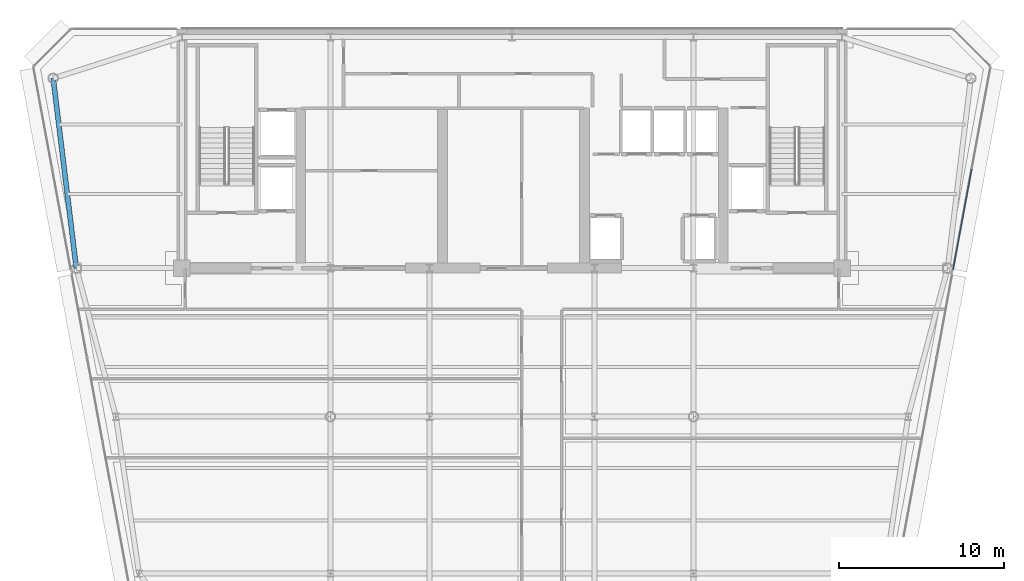
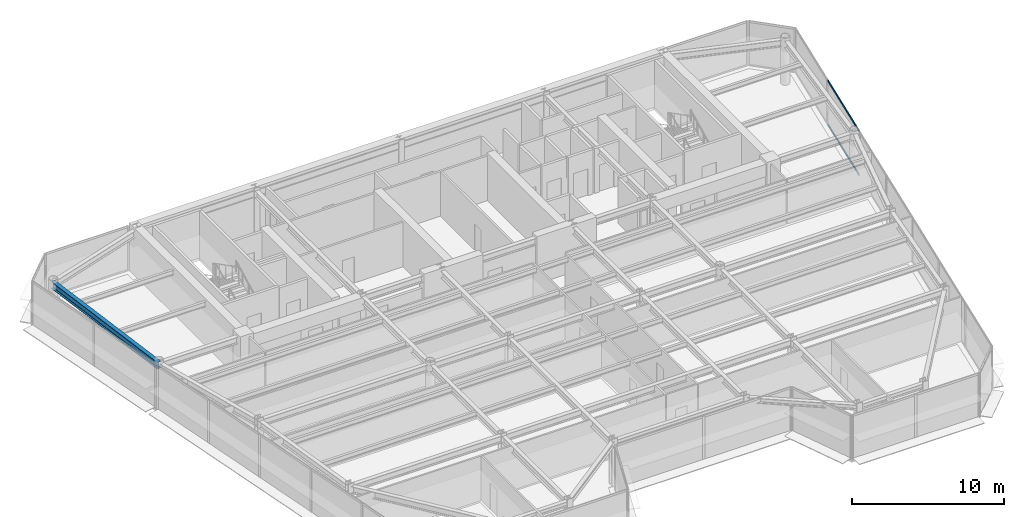
# One storey, part 7 of 17: 2 members, 1 beam, 1 element without a shape of its own.
"""IFC4 building model written with IfcOpenShell, lengths in metres."""

import ifcopenshell
import ifcopenshell.guid

model = None  # the IFC model being written
_history = None  # IfcOwnerHistory: only IFC2X3 demands one
_inside = {}  # id of a spatial element -> (the spatial element, [elements in it])
_under = {}  # id of a project, library or spatial element -> (it, [spatial elements below it])
_declared = {}  # id of a project -> (the project, [libraries it declares])
_typed = {}  # id of a type object -> (the type object, [elements of that type])
_made_of = {}  # id of a material, layer set ... -> (it, [elements and type objects made of it])


def new_model(schema):
    """Start an empty IFC model of exactly this schema.

    Asked for "IFC4X3", IfcOpenShell would pick the latest addendum, in which some entities
    have other attributes; the version numbers below select the first issue.
    IFC2X3 requires an IfcOwnerHistory on every rooted entity: one is made here for all.
    """
    global model, _history
    if schema == "IFC4X3":
        model = ifcopenshell.file(schema_version=(4, 3, 0, 0))
    else:
        model = ifcopenshell.file(schema=schema)
    _inside.clear()
    _under.clear()
    _declared.clear()
    _typed.clear()
    _made_of.clear()
    _history = None
    if model.schema == "IFC2X3":
        org = make("IfcOrganization", Name="unknown")
        user = make(
            "IfcPersonAndOrganization",
            ThePerson=make("IfcPerson", FamilyName="unknown"),
            TheOrganization=org,
        )
        app = make(
            "IfcApplication",
            ApplicationDeveloper=org,
            Version="unknown",
            ApplicationFullName="unknown",
            ApplicationIdentifier="unknown",
        )
        _history = make(
            "IfcOwnerHistory",
            OwningUser=user,
            OwningApplication=app,
            ChangeAction="ADDED",
            CreationDate=0,
        )
    return model


def make(cls, **values):
    """One entity of the class cls with the attributes given. An attribute that is None is left unset."""
    return model.create_entity(
        cls, **{name: value for name, value in values.items() if value is not None}
    )


def rooted(cls, **values):
    """An entity with a GlobalId (a new one), such as an element, a storey or a relation."""
    return make(cls, GlobalId=ifcopenshell.guid.new(), OwnerHistory=_history, **values)


def si_unit(unit_type, name, prefix=None):
    """IfcSIUnit, for example si_unit("LENGTHUNIT", "METRE", prefix="MILLI")."""
    return make("IfcSIUnit", UnitType=unit_type, Prefix=prefix, Name=name)


def assignment(units):
    """IfcUnitAssignment: the units of a project."""
    return None if units is None else make("IfcUnitAssignment", Units=units)


def point(xyz):
    """IfcCartesianPoint."""
    return None if xyz is None else make("IfcCartesianPoint", Coordinates=xyz)


def direction(xyz):
    """IfcDirection."""
    return None if xyz is None else make("IfcDirection", DirectionRatios=xyz)


def frame(location, z_axis=None, x_axis=None):
    """IfcAxis2Placement3D, a coordinate frame: its origin and axes. An axis left out is left unset."""
    return make(
        "IfcAxis2Placement3D",
        Location=point(location),
        Axis=direction(z_axis),
        RefDirection=direction(x_axis),
    )


def frame_2d(location, x_axis=None):
    """IfcAxis2Placement2D, a coordinate frame in the plane: its origin and x axis."""
    return make(
        "IfcAxis2Placement2D", Location=point(location), RefDirection=direction(x_axis)
    )


def origin():
    """The frame at (0, 0, 0) with its axes left unset."""
    return frame((0.0, 0.0, 0.0))


def origin_2d():
    """The frame at (0, 0) in the plane with its x axis left unset."""
    return frame_2d((0.0, 0.0))


def place(relative_to, where):
    """IfcLocalPlacement: puts the frame where relative to a parent placement (None: the world)."""
    return make(
        "IfcLocalPlacement", PlacementRelTo=relative_to, RelativePlacement=where
    )


def context(
    kind, dimensions, precision=None, world=None, true_north=None, identifier=None
):
    """IfcGeometricRepresentationContext, for example the 3D "Model" context."""
    return make(
        "IfcGeometricRepresentationContext",
        ContextIdentifier=identifier,
        ContextType=kind,
        CoordinateSpaceDimension=dimensions,
        Precision=precision,
        WorldCoordinateSystem=world,
        TrueNorth=true_north,
    )


def subcontext(parent, identifier, kind, view, scale=None):
    """IfcGeometricRepresentationSubContext, for example "Body" below "Model"."""
    return make(
        "IfcGeometricRepresentationSubContext",
        ContextIdentifier=identifier,
        ContextType=kind,
        ParentContext=parent,
        TargetScale=scale,
        TargetView=view,
    )


def project(units=None, contexts=None):
    """IfcProject with its units and contexts."""
    return rooted(
        "IfcProject",
        Name="project",
        RepresentationContexts=contexts,
        UnitsInContext=assignment(units),
    )


def spatial(cls, under=None, at=None, **own):
    """A site, building, storey or space (cls), placed at a placement, below another one or the project."""
    s = rooted(cls, ObjectPlacement=at, **own)
    if under is not None:
        _under.setdefault(under.id(), (under, []))[1].append(s)
    return s


def profile(cls, at=None, kind="AREA", **sizes):
    """A parametric profile (cls). Its sizes go by their IFC names, for example OverallWidth=200.0."""
    return make(cls, ProfileType=kind, Position=at, **sizes)


def rectangle(**sizes):
    """IfcRectangleProfileDef."""
    return profile("IfcRectangleProfileDef", **sizes)


def i_section(**sizes):
    """IfcIShapeProfileDef."""
    return profile("IfcIShapeProfileDef", **sizes)


def extrude(swept, where, along, depth):
    """IfcExtrudedAreaSolid: the profile swept, set in the frame where, extruded along a direction by depth."""
    return make(
        "IfcExtrudedAreaSolid",
        SweptArea=swept,
        Position=where,
        ExtrudedDirection=direction(along),
        Depth=depth,
    )


def shape(context_of_items, identifier, shape_type, items):
    """IfcShapeRepresentation: the items that make up one representation, for example the "Body"."""
    return make(
        "IfcShapeRepresentation",
        ContextOfItems=context_of_items,
        RepresentationIdentifier=identifier,
        RepresentationType=shape_type,
        Items=items,
    )


def source(mapping_origin, context_of_items, identifier, shape_type, items):
    """IfcRepresentationMap: a shape defined once, which mapped items show again and again."""
    return make(
        "IfcRepresentationMap",
        MappingOrigin=mapping_origin,
        MappedRepresentation=shape(context_of_items, identifier, shape_type, items),
    )


def transform(
    local_origin,
    x_axis=None,
    y_axis=None,
    z_axis=None,
    scale=None,
    scale2=None,
    scale3=None,
    uniform=True,
):
    """IfcCartesianTransformationOperator3D, or its non-uniform kind. x_axis, y_axis, z_axis: its Axis1, 2, 3."""
    if uniform:
        return make(
            "IfcCartesianTransformationOperator3D",
            Axis1=direction(x_axis),
            Axis2=direction(y_axis),
            LocalOrigin=point(local_origin),
            Scale=scale,
            Axis3=direction(z_axis),
        )
    return make(
        "IfcCartesianTransformationOperator3DnonUniform",
        Axis1=direction(x_axis),
        Axis2=direction(y_axis),
        LocalOrigin=point(local_origin),
        Scale=scale,
        Axis3=direction(z_axis),
        Scale2=scale2,
        Scale3=scale3,
    )


def mapped(mapping_source, mapping_target):
    """IfcMappedItem: shows the shape of a source again, moved by a transform."""
    return make(
        "IfcMappedItem", MappingSource=mapping_source, MappingTarget=mapping_target
    )


def material(Name=None, Category=None):
    """IfcMaterial."""
    return make("IfcMaterial", Name=Name, Category=Category)


def layer(
    of_material, thickness, ventilated=None, Name=None, Category=None, Priority=None
):
    """IfcMaterialLayer: one layer of a wall or slab, of a material (None: an air gap)."""
    return make(
        "IfcMaterialLayer",
        Material=of_material,
        LayerThickness=thickness,
        IsVentilated=ventilated,
        Name=Name,
        Category=Category,
        Priority=Priority,
    )


def layer_set(layers, Name=None):
    """IfcMaterialLayerSet."""
    return make("IfcMaterialLayerSet", MaterialLayers=layers, LayerSetName=Name)


def material_profile(
    of_material, cross_section, Name=None, Category=None, Priority=None
):
    """IfcMaterialProfile: a cross section and its material."""
    return make(
        "IfcMaterialProfile",
        Name=Name,
        Material=of_material,
        Profile=cross_section,
        Priority=Priority,
        Category=Category,
    )


def profile_set(profiles, Name=None, composite=None):
    """IfcMaterialProfileSet."""
    return make(
        "IfcMaterialProfileSet",
        Name=Name,
        MaterialProfiles=profiles,
        CompositeProfile=composite,
    )


def made_of(thing, what):
    """Note that an element or type object is made of a material, layer set ...; save() writes the relation."""
    if what is not None:
        _made_of.setdefault(what.id(), (what, []))[1].append(thing)
    return thing


def type_object(cls, material=None, **own):
    """A type object (cls), such as IfcWallType, which elements share."""
    return made_of(rooted(cls, **own), material)


def element(
    cls,
    number,
    at=None,
    inside=None,
    cuts=None,
    type_object=None,
    material=None,
    context=None,
    identifier="Body",
    shape_type=None,
    held_by="IfcProductDefinitionShape",
    body=None,
    shapes=None,
    **own,
):
    """One element of the class cls, such as IfcWall. Its Tag is "e" and its number.

    at: its placement. inside: the storey or other place that contains it. cuts: it is an
    opening in that element (IfcRelVoidsElement). A single representation is given by context,
    identifier, shape_type and body (its items); several are given by shapes. held_by: the class
    of the entity that holds the representations. save() writes the other relations.
    """
    e = rooted(cls, Tag="e%d" % number, ObjectPlacement=at, **own)
    if body is not None:
        shapes = [shape(context, identifier, shape_type, body)]
    if shapes is not None:
        e.Representation = make(held_by, Representations=shapes)
    if inside is not None:
        _inside.setdefault(inside.id(), (inside, []))[1].append(e)
    if cuts is not None:
        rooted(
            "IfcRelVoidsElement", RelatingBuildingElement=cuts, RelatedOpeningElement=e
        )
    if type_object is not None:
        _typed.setdefault(type_object.id(), (type_object, []))[1].append(e)
    return made_of(e, material)


def aggregate(whole, parts):
    """IfcRelAggregates: a whole, such as a stair, and the parts it consists of."""
    return rooted("IfcRelAggregates", RelatingObject=whole, RelatedObjects=parts)


def save(model, path):
    """Write the relations noted so far, then the file.

    IfcRelAggregates (storeys below a building ...), IfcRelContainedInSpatialStructure (elements
    in a storey), IfcRelDefinesByType, IfcRelAssociatesMaterial and IfcRelDeclares: one each for
    every whole, place, type object, material and project.
    """
    for whole, parts in _under.values():
        aggregate(whole, parts)
    for where, things in _inside.values():
        rooted(
            "IfcRelContainedInSpatialStructure",
            RelatedElements=things,
            RelatingStructure=where,
        )
    for kind, things in _typed.values():
        rooted("IfcRelDefinesByType", RelatedObjects=things, RelatingType=kind)
    for what, things in _made_of.values():
        rooted("IfcRelAssociatesMaterial", RelatedObjects=things, RelatingMaterial=what)
    for by, libraries in _declared.values():
        rooted("IfcRelDeclares", RelatingContext=by, RelatedDefinitions=libraries)
    model.write(path)


model = new_model("IFC4")

# Units and contexts
model_context = context("Model", 3, precision=1e-05, world=origin(), true_north=direction((0.0, 1.0)))
body_context = subcontext(model_context, "Body", "Model", "MODEL_VIEW")
ifc_project = project(units=[si_unit("LENGTHUNIT", "METRE"), si_unit("AREAUNIT", "SQUARE_METRE"), si_unit("VOLUMEUNIT", "CUBIC_METRE"), si_unit("PLANEANGLEUNIT", "RADIAN"), si_unit("MASSUNIT", "GRAM", prefix="KILO")], contexts=[model_context])

# Site, building, storey
site_placement = place(None, origin())
site = spatial("IfcSite", under=ifc_project, at=site_placement, CompositionType="ELEMENT")
building_placement = place(site_placement, origin())
building = spatial("IfcBuilding", under=site, at=building_placement, Name="Vaeldorn Concourse Tower", CompositionType="ELEMENT")
storey_placement = place(building_placement, frame((0.0, 0.0, 230.800048828125)))
storey = spatial("IfcBuildingStorey", under=building, at=storey_placement, Name="L59", CompositionType="ELEMENT", Elevation=230.800048828125)

# Beam
ifc_material_1 = material(Name="Steel S355", Category="steel")
ifc_material_profile_1 = material_profile(ifc_material_1, i_section(OverallWidth=0.300048828125, OverallDepth=0.550048828125, WebThickness=0.014892578125, FlangeThickness=0.029052734375, FilletRadius=0.027099609375, at=origin_2d()), Name="HEB 550")
ifc_profile_set_1 = profile_set([ifc_material_profile_1], Name="Steel S355")
beam_type = type_object("IfcBeamType", Name="BM-PG-HEB550", PredefinedType="BEAM", material=ifc_profile_set_1)
shared_shape_1 = source(origin(), body_context, "Body", "SweptSolid", [
    extrude(i_section(OverallWidth=0.300048828125, OverallDepth=0.550048828125, WebThickness=0.014892578125, FlangeThickness=0.029052734375, FilletRadius=0.027099609375, at=origin_2d()), origin(), (0.0, 0.0, 1.0), 11.5849609375),
])
beam_placement = place(storey_placement, frame((6.199951171875, 48.0, 3.304931640625), z_axis=(0.120859382899, -0.992669637677, 0.0), x_axis=(0.992669637677, 0.120859382899, 0.0)))
element("IfcBeam", 1, at=beam_placement, inside=storey, type_object=beam_type, Name="Beam BM-L59-C-NW1-C-NW2", PredefinedType="BEAM", context=body_context, shape_type="MappedRepresentation", body=[
    mapped(shared_shape_1, transform((0.0, 0.0, 0.0), scale=1.0)),
])

# Curtain wall, members
ifc_material_2 = material(Name="Anodised Bronze Aluminium", Category="aluminium")
ifc_layer = layer(ifc_material_2, 0.179931640625)
ifc_layer_set = layer_set([ifc_layer], Name="Anodised Bronze Aluminium")
curtain_wall_type = type_object("IfcCurtainWallType", Name="CW-SYS-05", PredefinedType="NOTDEFINED", material=ifc_layer_set)
curtain_wall_placement = place(storey_placement, origin())
curtain_wall = element("IfcCurtainWall", 2, at=curtain_wall_placement, inside=storey, type_object=curtain_wall_type, Name="Unitised Curtain Wall CW-L59-E07-2", PredefinedType="NOTDEFINED")
ifc_material_profile_2 = material_profile(ifc_material_2, rectangle(XDim=0.06494140625, YDim=0.14990234375, at=origin_2d()), Name="CWT 65x150")
ifc_profile_set_2 = profile_set([ifc_material_profile_2], Name="Anodised Bronze Aluminium")
member_type = type_object("IfcMemberType", Name="CWT-BRONZE-150", PredefinedType="USERDEFINED", material=ifc_profile_set_2)
shared_shape_2 = source(origin(), body_context, "Body", "SweptSolid", [
    extrude(rectangle(XDim=0.06494140625, YDim=0.14990234375, at=origin_2d()), origin(), (0.0, 0.0, 1.0), 6.183837890625),
])
member_1_placement = place(storey_placement, frame((60.726806640625, 36.410888671875, 0.032470703125), z_axis=(0.181889913007, 0.983318900228, 0.0), x_axis=(-0.983318900228, 0.181889913007, 0.0)))
member_1 = element("IfcMember", 3, at=member_1_placement, type_object=member_type, Name="CW-05 transom 1.1", ObjectType="TRANSOM", PredefinedType="USERDEFINED", context=body_context, shape_type="MappedRepresentation", body=[
    mapped(shared_shape_2, transform((0.0, 0.0, 0.0), scale=1.0)),
])
member_2_placement = place(storey_placement, frame((60.726806640625, 36.410888671875, 3.54736328125), z_axis=(0.181889913007, 0.983318900228, 0.0), x_axis=(-0.983318900228, 0.181889913007, 0.0)))
member_2 = element("IfcMember", 4, at=member_2_placement, type_object=member_type, Name="CW-05 transom 1.2", ObjectType="TRANSOM", PredefinedType="USERDEFINED", context=body_context, shape_type="MappedRepresentation", body=[
    mapped(shared_shape_2, transform((0.0, 0.0, 0.0), scale=1.0)),
])
aggregate(curtain_wall, [member_1, member_2])

save(model, "model.ifc")
